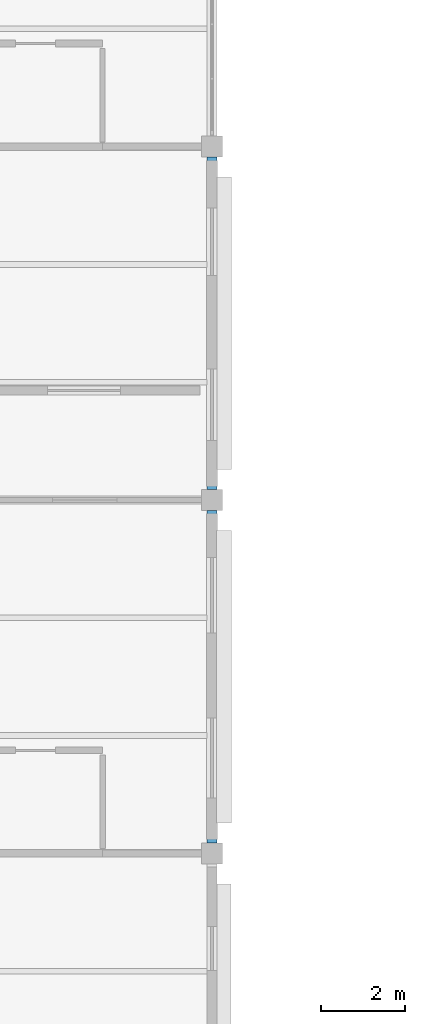
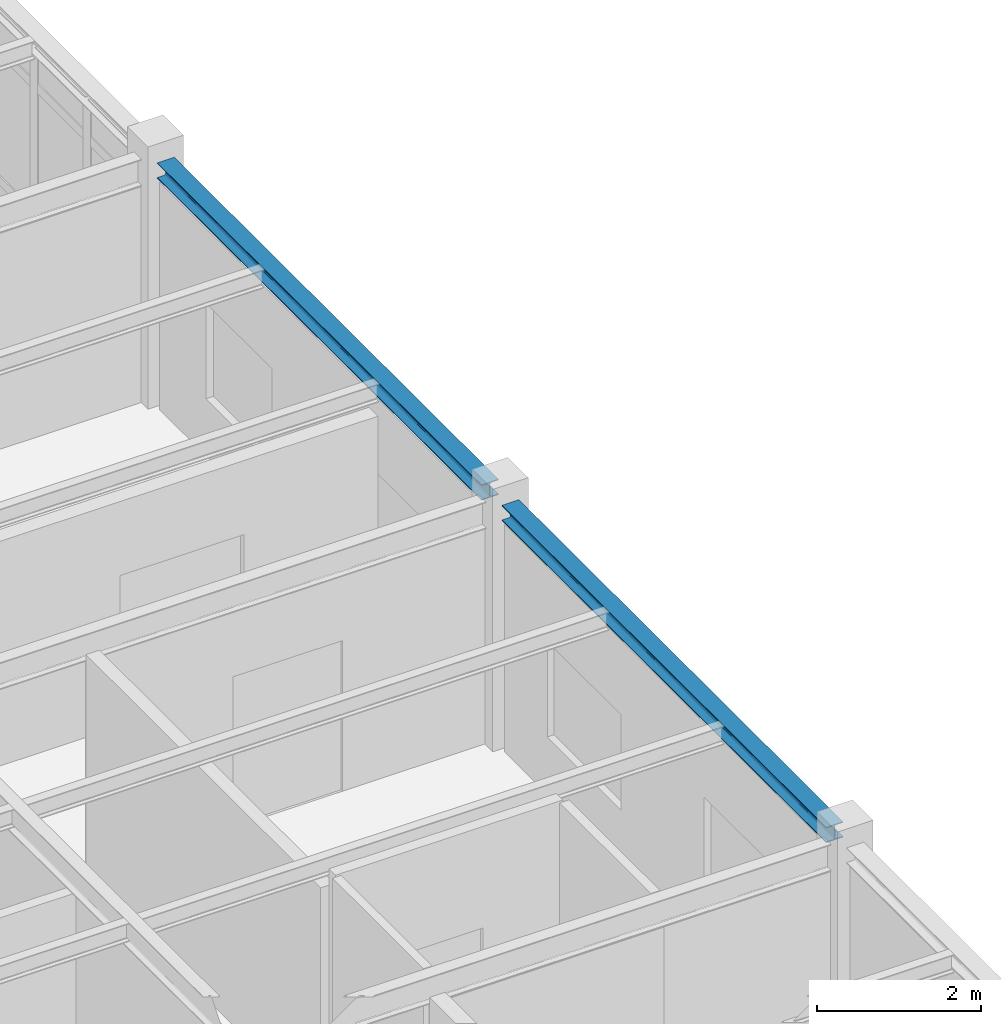
# One storey, part 10 of 53: 2 beams.
"""IFC4 building model written with IfcOpenShell, lengths in metres."""

from ifc_helpers import new_model, si_unit, direction, frame, origin, origin_2d, place, context, subcontext, project, spatial, i_section, extrude, material, material_profile, profile_set, type_object, element, save


model = new_model("IFC4")

# Units and contexts
model_context = context("Model", 3, precision=1e-05, world=origin(), true_north=direction((0.0, 1.0)))
body_context = subcontext(model_context, "Body", "Model", "MODEL_VIEW")
ifc_project = project(units=[si_unit("LENGTHUNIT", "METRE"), si_unit("AREAUNIT", "SQUARE_METRE"), si_unit("VOLUMEUNIT", "CUBIC_METRE"), si_unit("PLANEANGLEUNIT", "RADIAN"), si_unit("MASSUNIT", "GRAM", prefix="KILO")], contexts=[model_context])

# Site, building, storey
site_placement = place(None, origin())
site = spatial("IfcSite", under=ifc_project, at=site_placement, CompositionType="ELEMENT")
building_placement = place(site_placement, origin())
building = spatial("IfcBuilding", under=site, at=building_placement, Name="Bramfleet General Hospital", CompositionType="ELEMENT")
storey_placement = place(building_placement, frame((0.0, 0.0, 26.39990234375)))
storey = spatial("IfcBuildingStorey", under=building, at=storey_placement, Name="L06", CompositionType="ELEMENT", Elevation=26.39990234375)

# Beams
ifc_material = material(Name="Steel S355", Category="steel")
ifc_material_profile = material_profile(ifc_material, i_section(OverallWidth=0.239990234375, OverallDepth=0.22998046875, WebThickness=0.007568359375, FlangeThickness=0.011962890625, FilletRadius=0.02099609375, at=origin_2d()), Name="HEA 240")
ifc_profile_set = profile_set([ifc_material_profile], Name="Steel S355")
beam_type = type_object("IfcBeamType", Name="BM-HEA240", PredefinedType="SPANDREL", material=ifc_profile_set)
for number, where, z_axis, x_axis, name in (
    (1, (117.60009765625, 33.85009765625, 3.505126953125), (0.0, 1.0, 0.0), (-1.0, 0.0, 0.0), "L06 Grid Beam Y 14-04"),
    (2, (117.60009765625, 42.25, 3.505126953125), (0.0, 1.0, 0.0), (-1.0, 0.0, 0.0), "L06 Grid Beam Y 14-05"),
):
    element("IfcBeam", number, at=place(storey_placement, frame(where, z_axis=z_axis, x_axis=x_axis)), inside=storey, type_object=beam_type, Name=name, PredefinedType="SPANDREL", context=body_context, shape_type="SweptSolid", body=[
        extrude(i_section(OverallWidth=0.239990234375, OverallDepth=0.22998046875, WebThickness=0.007568359375, FlangeThickness=0.011962890625, FilletRadius=0.02099609375, at=origin_2d()), origin(), (0.0, 0.0, 1.0), 7.89990234375),
    ])

save(model, "model.ifc")
